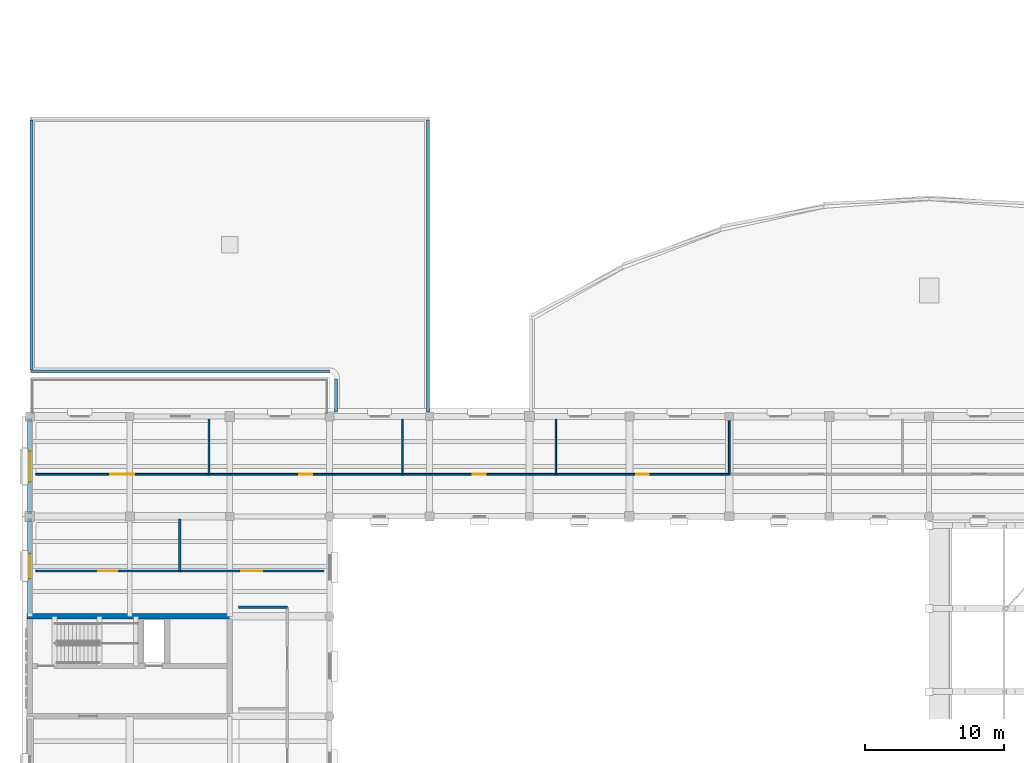
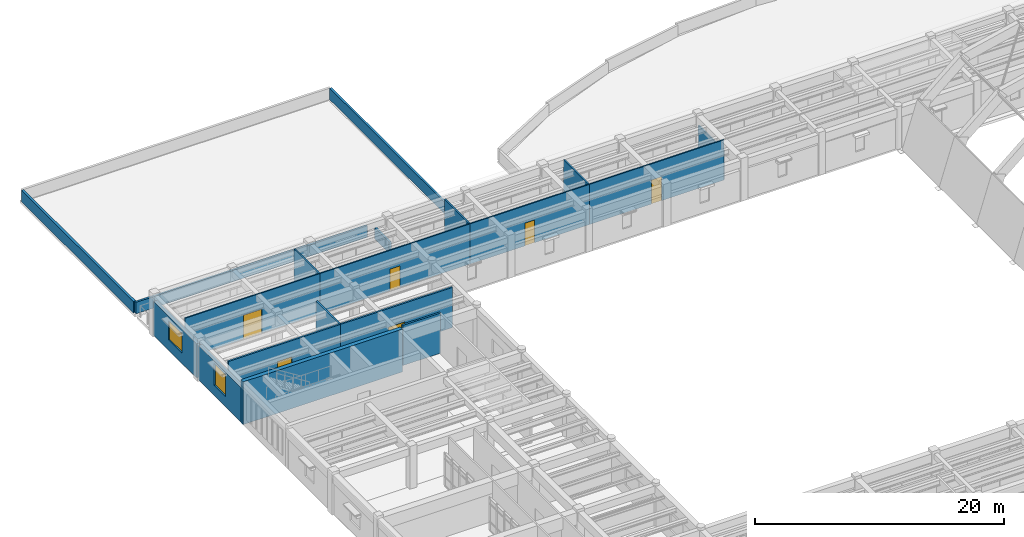
# One storey, part 43 of 66: 19 walls, 6 doors, 2 windows, 8 openings.
"""IFC4 building model written with IfcOpenShell, lengths in metres."""

from ifc_helpers import new_model, si_unit, direction, frame, frame_2d, origin, place, context, subcontext, project, spatial, rectangle, extrude, material, layer, layer_set, type_object, element, fill, save


model = new_model("IFC4")

# Units and contexts
model_context = context("Model", 3, precision=1e-05, world=origin(), true_north=direction((0.0, 1.0)))
body_context = subcontext(model_context, "Body", "Model", "MODEL_VIEW")
ifc_project = project(units=[si_unit("LENGTHUNIT", "METRE"), si_unit("AREAUNIT", "SQUARE_METRE"), si_unit("VOLUMEUNIT", "CUBIC_METRE"), si_unit("PLANEANGLEUNIT", "RADIAN"), si_unit("MASSUNIT", "GRAM", prefix="KILO")], contexts=[model_context])

# Site, building, storey
site_placement = place(None, origin())
site = spatial("IfcSite", under=ifc_project, at=site_placement, CompositionType="ELEMENT")
building_placement = place(site_placement, origin())
building = spatial("IfcBuilding", under=site, at=building_placement, Name="Mithqara Police Headquarters", CompositionType="ELEMENT")
storey_placement = place(building_placement, frame((0.0, 0.0, 9.60009765625)))
storey = spatial("IfcBuildingStorey", under=building, at=storey_placement, Name="L02", CompositionType="ELEMENT", Elevation=9.60009765625)

# Wall, opening, window
ifc_material_1 = material(Name="Limestone ashlar masonry, 45 MPa", Category="masonry")
ifc_layer_1 = layer(ifc_material_1, 0.320068359375, Name="Limestone ashlar masonry, 45 MPa")
ifc_layer_set_1 = layer_set([ifc_layer_1], Name="Limestone ashlar masonry, 45 MPa")
wall_type_1 = type_object("IfcWallType", Name="EXT WALL LIMESTONE320", PredefinedType="SOLIDWALL", material=ifc_layer_set_1)
wall_1_placement = place(storey_placement, frame((7.800048828125, 85.639892578125, 0.0), z_axis=(0.0, 0.0, 1.0), x_axis=(0.0, -1.0, 0.0)))
wall_1 = element("IfcWall", 1, at=wall_1_placement, inside=storey, type_object=wall_type_1, Name="L02 Exterior Wall 13.1", PredefinedType="SOLIDWALL", context=body_context, shape_type="SweptSolid", body=[
    extrude(rectangle(XDim=6.8798828125, YDim=0.320068359375, at=frame_2d((3.43994140625, 0.0))), origin(), (0.0, 0.0, 1.0), 3.33984375),
])
opening_1_placement = place(wall_1_placement, frame((2.340087890625, 0.0, 1.0)))
opening_1 = element("IfcOpeningElement", 2, at=opening_1_placement, cuts=wall_1, Name="Opening W-43", PredefinedType="OPENING", context=body_context, shape_type="SweptSolid", body=[
    extrude(rectangle(XDim=2.199951171875, YDim=1.89990234375, at=frame_2d((1.10009765625, 0.949951171875))), frame((0.0, 0.169921875, 0.0), z_axis=(0.0, -1.0, 0.0), x_axis=(1.0, 0.0, 0.0)), (0.0, 0.0, 1.0), 0.340087890625),
])
ifc_material_2 = material(Name="Spectrally selective double low-e glass", Category="glass")
window_type_1 = type_object("IfcWindowType", Name="WINDOW 2200X1900", PartitioningType="DOUBLE_PANEL_VERTICAL", PredefinedType="WINDOW", material=ifc_material_2)
window_1_placement = place(opening_1_placement, origin())
window_1 = element("IfcWindow", 3, at=window_1_placement, inside=storey, type_object=window_type_1, Name="L02 Deep-Set Punched Window 13.1", OverallHeight=1.89990234375, OverallWidth=2.199951171875, PartitioningType="SINGLE_PANEL", PredefinedType="WINDOW", context=body_context, shape_type="SweptSolid", body=[
    extrude(rectangle(XDim=2.199951171875, YDim=1.89990234375, at=frame_2d((1.10009765625, 0.949951171875))), frame((0.0, 0.030029296875, 0.0), z_axis=(0.0, -1.0, 0.0), x_axis=(1.0, 0.0, 0.0)), (0.0, 0.0, 1.0), 0.06005859375),
])
fill(opening_1, window_1)

wall_2_placement = place(storey_placement, frame((7.800048828125, 78.43994140625, 0.0), z_axis=(0.0, 0.0, 1.0), x_axis=(0.0, -1.0, 0.0)))
wall_2 = element("IfcWall", 4, at=wall_2_placement, inside=storey, type_object=wall_type_1, Name="L02 Exterior Wall 14.1", PredefinedType="SOLIDWALL", context=body_context, shape_type="SweptSolid", body=[
    extrude(rectangle(XDim=6.849853515625, YDim=0.320068359375, at=frame_2d((3.4248046875, 0.0))), origin(), (0.0, 0.0, 1.0), 3.389892578125),
])
opening_2_placement = place(wall_2_placement, frame((2.52490234375, 0.0, 1.0)))
opening_2 = element("IfcOpeningElement", 5, at=opening_2_placement, cuts=wall_2, Name="Opening W-34", PredefinedType="OPENING", context=body_context, shape_type="SweptSolid", body=[
    extrude(rectangle(XDim=1.800048828125, YDim=2.14990234375, at=frame_2d((0.89990234375, 1.074951171875))), frame((0.0, 0.169921875, 0.0), z_axis=(0.0, -1.0, 0.0), x_axis=(1.0, 0.0, 0.0)), (0.0, 0.0, 1.0), 0.340087890625),
])
window_type_2 = type_object("IfcWindowType", Name="WINDOW 1800X2150", PartitioningType="DOUBLE_PANEL_VERTICAL", PredefinedType="WINDOW", material=ifc_material_2)
window_2_placement = place(opening_2_placement, origin())
window_2 = element("IfcWindow", 6, at=window_2_placement, inside=storey, type_object=window_type_2, Name="L02 Deep-Set Punched Window 14.1", OverallHeight=2.14990234375, OverallWidth=1.800048828125, PartitioningType="SINGLE_PANEL", PredefinedType="WINDOW", context=body_context, shape_type="SweptSolid", body=[
    extrude(rectangle(XDim=1.800048828125, YDim=2.14990234375, at=frame_2d((0.89990234375, 1.074951171875))), frame((0.0, 0.030029296875, 0.0), z_axis=(0.0, -1.0, 0.0), x_axis=(1.0, 0.0, 0.0)), (0.0, 0.0, 1.0), 0.06005859375),
])
fill(opening_2, window_2)

# Walls
ifc_layer_2 = layer(ifc_material_1, 0.199951171875, Name="Limestone ashlar masonry, 45 MPa")
ifc_layer_set_2 = layer_set([ifc_layer_2], Name="Limestone ashlar masonry, 45 MPa")
wall_type_2 = type_object("IfcWallType", Name="PARAPET WALL 200", PredefinedType="PARAPET", material=ifc_layer_set_2)
wall_3_placement = place(storey_placement, frame((36.489990234375, 107.179931640625, 0.0), z_axis=(0.0, 0.0, 1.0), x_axis=(0.0, -1.0, 0.0)))
element("IfcWall", 7, at=wall_3_placement, inside=storey, type_object=wall_type_2, Name="L02 Limestone Roof Parapet ROOF-L01-00-2", PredefinedType="PARAPET", context=body_context, shape_type="SweptSolid", body=[
    extrude(rectangle(XDim=21.050048828125, YDim=0.199951171875, at=frame_2d((10.52490234375, 0.0))), origin(), (0.0, 0.0, 1.0), 1.119873046875),
])
wall_4_placement = place(storey_placement, frame((29.860107421875, 86.1298828125, 0.0), z_axis=(0.0, 0.0, 1.0), x_axis=(0.0, 1.0, 0.0)))
element("IfcWall", 8, at=wall_4_placement, inside=storey, type_object=wall_type_2, Name="L02 Limestone Roof Parapet ROOF-L01-00-4", PredefinedType="PARAPET", context=body_context, shape_type="SweptSolid", body=[
    extrude(rectangle(XDim=2.360107421875, YDim=0.199951171875, at=frame_2d((1.18017578125, 0.0))), origin(), (0.0, 0.0, 1.0), 1.119873046875),
])
wall_5_placement = place(storey_placement, frame((29.39990234375, 89.06005859375, 0.0), z_axis=(0.0, 0.0, 1.0), x_axis=(-1.0, 0.0, 0.0)))
element("IfcWall", 9, at=wall_5_placement, inside=storey, type_object=wall_type_2, Name="L02 Limestone Roof Parapet ROOF-L01-00-38", PredefinedType="PARAPET", context=body_context, shape_type="SweptSolid", body=[
    extrude(rectangle(XDim=21.489990234375, YDim=0.199951171875, at=frame_2d((10.7451171875, 0.0))), origin(), (0.0, 0.0, 1.0), 1.119873046875),
])
ifc_layer_3 = layer(ifc_material_1, 0.219970703125, Name="Limestone ashlar masonry, 45 MPa")
ifc_layer_set_3 = layer_set([ifc_layer_3], Name="Limestone ashlar masonry, 45 MPa")
wall_type_3 = type_object("IfcWallType", Name="PARAPET WALL 220", PredefinedType="PARAPET", material=ifc_layer_set_3)
wall_6_placement = place(storey_placement, frame((7.909912109375, 89.179931640625, 0.0), z_axis=(0.0, 0.0, 1.0), x_axis=(0.0, 1.0, 0.0)))
element("IfcWall", 10, at=wall_6_placement, inside=storey, type_object=wall_type_3, Name="L02 Limestone Roof Parapet ROOF-L01-00-39", PredefinedType="PARAPET", context=body_context, shape_type="SweptSolid", body=[
    extrude(rectangle(XDim=17.989990234375, YDim=0.219970703125, at=frame_2d((8.9951171875, 0.0))), origin(), (0.0, 0.0, 1.0), 1.119873046875),
])

# Wall, opening, door
ifc_material_3 = material(Name="Gypsum acoustic stud partition", Category="gypsum")
ifc_layer_4 = layer(ifc_material_3, 0.1201171875, Name="Gypsum acoustic stud partition")
ifc_layer_set_4 = layer_set([ifc_layer_4], Name="Gypsum acoustic stud partition")
wall_type_4 = type_object("IfcWallType", Name="PART WALL 120", PredefinedType="PARTITIONING", material=ifc_layer_set_4)
wall_7_placement = place(storey_placement, frame((8.219970703125, 81.639892578125, 0.0), z_axis=(0.0, 0.0, 1.0), x_axis=(1.0, 0.0, 0.0)))
wall_7 = element("IfcWall", 11, at=wall_7_placement, inside=storey, type_object=wall_type_4, Name="L02 Corridor Wall Regional Operations Coordination Suite", PredefinedType="PARTITIONING", context=body_context, shape_type="SweptSolid", body=[
    extrude(rectangle(XDim=12.4951171875, YDim=0.1201171875, at=frame_2d((6.24755859375, 0.0))), origin(), (0.0, 0.0, 1.0), 3.93994140625),
])
opening_3_placement = place(wall_7_placement, frame((5.387451171875, 0.0, 0.0)))
opening_3 = element("IfcOpeningElement", 12, at=opening_3_placement, cuts=wall_7, Name="Opening D-24", PredefinedType="OPENING", context=body_context, shape_type="SweptSolid", body=[
    extrude(rectangle(XDim=1.719970703125, YDim=2.35009765625, at=frame_2d((0.85986328125, 1.175048828125))), frame((0.0, 0.070068359375, 0.0), z_axis=(0.0, -1.0, 0.0), x_axis=(1.0, 0.0, 0.0)), (0.0, 0.0, 1.0), 0.14013671875),
])
ifc_material_4 = material(Name="Bronze anodised aluminium 6063-T6", Category="aluminium")
door_type_1 = type_object("IfcDoorType", Name="INT DOOR 1720X2350", OperationType="NOTDEFINED", PredefinedType="DOOR", material=ifc_material_4)
door_1_placement = place(opening_3_placement, origin())
door_1 = element("IfcDoor", 13, at=door_1_placement, inside=storey, type_object=door_type_1, Name="Regional Operations Coordination Suite Entry Door", OperationType="DOUBLE_DOOR_SINGLE_SWING", OverallHeight=2.35009765625, OverallWidth=1.719970703125, PredefinedType="DOOR", context=body_context, shape_type="SweptSolid", body=[
    extrude(rectangle(XDim=1.719970703125, YDim=2.35009765625, at=frame_2d((0.85986328125, 1.175048828125))), frame((0.0, 0.02490234375, 0.0), z_axis=(0.0, -1.0, 0.0), x_axis=(1.0, 0.0, 0.0)), (0.0, 0.0, 1.0), 0.050048828125),
])
fill(opening_3, door_1)

# Wall
wall_8_placement = place(storey_placement, frame((20.715087890625, 81.639892578125, 0.0), z_axis=(0.0, 0.0, 1.0), x_axis=(0.0, 1.0, 0.0)))
element("IfcWall", 14, at=wall_8_placement, inside=storey, type_object=wall_type_4, Name="L02 Room Partition Regional Operations Coordination Suite", PredefinedType="PARTITIONING", context=body_context, shape_type="SweptSolid", body=[
    extrude(rectangle(XDim=3.980224609375, YDim=0.1201171875, at=frame_2d((1.990234375, 0.0))), origin(), (0.0, 0.0, 1.0), 3.93994140625),
])

# Wall, opening, door
wall_9_placement = place(storey_placement, frame((20.715087890625, 81.639892578125, 0.0), z_axis=(0.0, 0.0, 1.0), x_axis=(1.0, 0.0, 0.0)))
wall_9 = element("IfcWall", 15, at=wall_9_placement, inside=storey, type_object=wall_type_4, Name="L02 Corridor Wall Crime Statistics Analysis Room", PredefinedType="PARTITIONING", context=body_context, shape_type="SweptSolid", body=[
    extrude(rectangle(XDim=13.94482421875, YDim=0.1201171875, at=frame_2d((6.972412109375, 0.0))), origin(), (0.0, 0.0, 1.0), 3.93994140625),
])
opening_4_placement = place(wall_9_placement, frame((6.512451171875, 0.0, 0.0)))
opening_4 = element("IfcOpeningElement", 16, at=opening_4_placement, cuts=wall_9, Name="Opening D-01", PredefinedType="OPENING", context=body_context, shape_type="SweptSolid", body=[
    extrude(rectangle(XDim=0.919921875, YDim=2.10009765625, at=frame_2d((0.4599609375, 1.050048828125))), frame((0.0, 0.070068359375, 0.0), z_axis=(0.0, -1.0, 0.0), x_axis=(1.0, 0.0, 0.0)), (0.0, 0.0, 1.0), 0.14013671875),
])
ifc_material_5 = material(Name="Acoustic solid-core timber leaf", Category="wood")
door_type_2 = type_object("IfcDoorType", Name="INT DOOR 920X2100", OperationType="NOTDEFINED", PredefinedType="DOOR", material=ifc_material_5)
door_2_placement = place(opening_4_placement, origin())
door_2 = element("IfcDoor", 17, at=door_2_placement, inside=storey, type_object=door_type_2, Name="Crime Statistics Analysis Room Entry Door", OperationType="SINGLE_SWING_RIGHT", OverallHeight=2.10009765625, OverallWidth=0.919921875, PredefinedType="DOOR", context=body_context, shape_type="SweptSolid", body=[
    extrude(rectangle(XDim=0.919921875, YDim=2.10009765625, at=frame_2d((0.4599609375, 1.050048828125))), frame((0.0, 0.02490234375, 0.0), z_axis=(0.0, -1.0, 0.0), x_axis=(1.0, 0.0, 0.0)), (0.0, 0.0, 1.0), 0.050048828125),
])
fill(opening_4, door_2)

# Wall
wall_10_placement = place(storey_placement, frame((34.659912109375, 81.639892578125, 0.0), z_axis=(0.0, 0.0, 1.0), x_axis=(0.0, 1.0, 0.0)))
element("IfcWall", 18, at=wall_10_placement, inside=storey, type_object=wall_type_4, Name="L02 Room Partition Crime Statistics Analysis Room", PredefinedType="PARTITIONING", context=body_context, shape_type="SweptSolid", body=[
    extrude(rectangle(XDim=3.980224609375, YDim=0.1201171875, at=frame_2d((1.990234375, 0.0))), origin(), (0.0, 0.0, 1.0), 3.93994140625),
])

# Wall, opening, door
wall_11_placement = place(storey_placement, frame((34.659912109375, 81.639892578125, 0.0), z_axis=(0.0, 0.0, 1.0), x_axis=(1.0, 0.0, 0.0)))
wall_11 = element("IfcWall", 19, at=wall_11_placement, inside=storey, type_object=wall_type_4, Name="L02 Corridor Wall Briefing Room", PredefinedType="PARTITIONING", context=body_context, shape_type="SweptSolid", body=[
    extrude(rectangle(XDim=11.045166015625, YDim=0.1201171875, at=frame_2d((5.5224609375, 0.0))), origin(), (0.0, 0.0, 1.0), 3.93994140625),
])
opening_5_placement = place(wall_11_placement, frame((5.0625, 0.0, 0.0)))
opening_5 = element("IfcOpeningElement", 20, at=opening_5_placement, cuts=wall_11, Name="Opening D-02", PredefinedType="OPENING", context=body_context, shape_type="SweptSolid", body=[
    extrude(rectangle(XDim=0.919921875, YDim=2.219970703125, at=frame_2d((0.4599609375, 1.10986328125))), frame((0.0, 0.070068359375, 0.0), z_axis=(0.0, -1.0, 0.0), x_axis=(1.0, 0.0, 0.0)), (0.0, 0.0, 1.0), 0.14013671875),
])
door_type_3 = type_object("IfcDoorType", Name="INT DOOR 920X2220", OperationType="NOTDEFINED", PredefinedType="DOOR", material=ifc_material_5)
door_3_placement = place(opening_5_placement, origin())
door_3 = element("IfcDoor", 21, at=door_3_placement, inside=storey, type_object=door_type_3, Name="Briefing Room Entry Door", OperationType="SINGLE_SWING_LEFT", OverallHeight=2.219970703125, OverallWidth=0.919921875, PredefinedType="DOOR", context=body_context, shape_type="SweptSolid", body=[
    extrude(rectangle(XDim=0.919921875, YDim=2.219970703125, at=frame_2d((0.4599609375, 1.10986328125))), frame((0.0, 0.02490234375, 0.0), z_axis=(0.0, -1.0, 0.0), x_axis=(1.0, 0.0, 0.0)), (0.0, 0.0, 1.0), 0.050048828125),
])
fill(opening_5, door_3)

# Wall
wall_12_placement = place(storey_placement, frame((45.705078125, 81.639892578125, 0.0), z_axis=(0.0, 0.0, 1.0), x_axis=(0.0, 1.0, 0.0)))
element("IfcWall", 22, at=wall_12_placement, inside=storey, type_object=wall_type_4, Name="L02 Room Partition Briefing Room", PredefinedType="PARTITIONING", context=body_context, shape_type="SweptSolid", body=[
    extrude(rectangle(XDim=3.980224609375, YDim=0.1201171875, at=frame_2d((1.990234375, 0.0))), origin(), (0.0, 0.0, 1.0), 3.93994140625),
])

# Wall, opening, door
wall_13_placement = place(storey_placement, frame((45.705078125, 81.639892578125, 0.0), z_axis=(0.0, 0.0, 1.0), x_axis=(1.0, 0.0, 0.0)))
wall_13 = element("IfcWall", 23, at=wall_13_placement, inside=storey, type_object=wall_type_4, Name="L02 Corridor Wall Regional Operations Coordination Suite", PredefinedType="PARTITIONING", context=body_context, shape_type="SweptSolid", body=[
    extrude(rectangle(XDim=12.494873046875, YDim=0.1201171875, at=frame_2d((6.24755859375, 0.0))), origin(), (0.0, 0.0, 1.0), 3.93994140625),
])
opening_6_placement = place(wall_13_placement, frame((5.78759765625, 0.0, 0.0)))
opening_6 = element("IfcOpeningElement", 24, at=opening_6_placement, cuts=wall_13, Name="Opening D-03", PredefinedType="OPENING", context=body_context, shape_type="SweptSolid", body=[
    extrude(rectangle(XDim=0.919921875, YDim=2.35009765625, at=frame_2d((0.4599609375, 1.175048828125))), frame((0.0, 0.070068359375, 0.0), z_axis=(0.0, -1.0, 0.0), x_axis=(1.0, 0.0, 0.0)), (0.0, 0.0, 1.0), 0.14013671875),
])
door_type_4 = type_object("IfcDoorType", Name="INT DOOR 920X2350", OperationType="NOTDEFINED", PredefinedType="DOOR", material=ifc_material_5)
door_4_placement = place(opening_6_placement, origin())
door_4 = element("IfcDoor", 25, at=door_4_placement, inside=storey, type_object=door_type_4, Name="Regional Operations Coordination Suite Entry Door", OperationType="SINGLE_SWING_RIGHT", OverallHeight=2.35009765625, OverallWidth=0.919921875, PredefinedType="DOOR", context=body_context, shape_type="SweptSolid", body=[
    extrude(rectangle(XDim=0.919921875, YDim=2.35009765625, at=frame_2d((0.4599609375, 1.175048828125))), frame((0.0, 0.02490234375, 0.0), z_axis=(0.0, -1.0, 0.0), x_axis=(1.0, 0.0, 0.0)), (0.0, 0.0, 1.0), 0.050048828125),
])
fill(opening_6, door_4)

# Wall
wall_14_placement = place(storey_placement, frame((58.199951171875, 81.639892578125, 0.0), z_axis=(0.0, 0.0, 1.0), x_axis=(0.0, 1.0, 0.0)))
element("IfcWall", 26, at=wall_14_placement, inside=storey, type_object=wall_type_4, Name="L02 Room Partition Regional Operations Coordination Suite", PredefinedType="PARTITIONING", context=body_context, shape_type="SweptSolid", body=[
    extrude(rectangle(XDim=3.980224609375, YDim=0.1201171875, at=frame_2d((1.990234375, 0.0))), origin(), (0.0, 0.0, 1.0), 2.93994140625),
])

# Wall, opening, door
ifc_layer_5 = layer(ifc_material_3, 0.159912109375, Name="Gypsum acoustic stud partition")
ifc_layer_set_5 = layer_set([ifc_layer_5], Name="Gypsum acoustic stud partition")
wall_type_5 = type_object("IfcWallType", Name="PART WALL 160", PredefinedType="PARTITIONING", material=ifc_layer_set_5)
wall_15_placement = place(storey_placement, frame((8.219970703125, 74.669921875, 0.0), z_axis=(0.0, 0.0, 1.0), x_axis=(1.0, 0.0, 0.0)))
wall_15 = element("IfcWall", 27, at=wall_15_placement, inside=storey, type_object=wall_type_5, Name="L02 Corridor Wall Traffic Investigation Division", PredefinedType="PARTITIONING", context=body_context, shape_type="SweptSolid", body=[
    extrude(rectangle(XDim=10.380126953125, YDim=0.159912109375, at=frame_2d((5.18994140625, 0.0))), origin(), (0.0, 0.0, 1.0), 3.93994140625),
])
opening_7_placement = place(wall_15_placement, frame((4.510009765625, 0.0, 0.0)))
opening_7 = element("IfcOpeningElement", 28, at=opening_7_placement, cuts=wall_15, Name="Opening D-18", PredefinedType="OPENING", context=body_context, shape_type="SweptSolid", body=[
    extrude(rectangle(XDim=1.360107421875, YDim=2.35009765625, at=frame_2d((0.68017578125, 1.175048828125))), frame((0.0, 0.08984375, 0.0), z_axis=(0.0, -1.0, 0.0), x_axis=(1.0, 0.0, 0.0)), (0.0, 0.0, 1.0), 0.179931640625),
])
door_type_5 = type_object("IfcDoorType", Name="INT DOOR 1360X2350", OperationType="NOTDEFINED", PredefinedType="DOOR", material=ifc_material_4)
door_5_placement = place(opening_7_placement, origin())
door_5 = element("IfcDoor", 29, at=door_5_placement, inside=storey, type_object=door_type_5, Name="Traffic Investigation Division Entry Door", OperationType="SINGLE_SWING_LEFT", OverallHeight=2.35009765625, OverallWidth=1.360107421875, PredefinedType="DOOR", context=body_context, shape_type="SweptSolid", body=[
    extrude(rectangle(XDim=1.360107421875, YDim=2.35009765625, at=frame_2d((0.68017578125, 1.175048828125))), frame((0.0, 0.02490234375, 0.0), z_axis=(0.0, -1.0, 0.0), x_axis=(1.0, 0.0, 0.0)), (0.0, 0.0, 1.0), 0.050048828125),
])
fill(opening_7, door_5)

# Wall
wall_16_placement = place(storey_placement, frame((18.60009765625, 74.669921875, 0.0), z_axis=(0.0, 0.0, 1.0), x_axis=(0.0, 1.0, 0.0)))
element("IfcWall", 30, at=wall_16_placement, inside=storey, type_object=wall_type_5, Name="L02 Room Partition Traffic Investigation Division", PredefinedType="PARTITIONING", context=body_context, shape_type="SweptSolid", body=[
    extrude(rectangle(XDim=3.75, YDim=0.159912109375, at=frame_2d((1.875, 0.0))), origin(), (0.0, 0.0, 1.0), 3.93994140625),
])

# Wall, opening, door
wall_17_placement = place(storey_placement, frame((18.60009765625, 74.669921875, 0.0), z_axis=(0.0, 0.0, 1.0), x_axis=(1.0, 0.0, 0.0)))
wall_17 = element("IfcWall", 31, at=wall_17_placement, inside=storey, type_object=wall_type_5, Name="L02 Corridor Wall Traffic Incident Analysis Room", PredefinedType="PARTITIONING", context=body_context, shape_type="SweptSolid", body=[
    extrude(rectangle(XDim=10.3798828125, YDim=0.159912109375, at=frame_2d((5.18994140625, 0.0))), origin(), (0.0, 0.0, 1.0), 3.93994140625),
])
opening_8_placement = place(wall_17_placement, frame((4.429931640625, 0.0, 0.0)))
opening_8 = element("IfcOpeningElement", 32, at=opening_8_placement, cuts=wall_17, Name="Opening D-19", PredefinedType="OPENING", context=body_context, shape_type="SweptSolid", body=[
    extrude(rectangle(XDim=1.52001953125, YDim=2.10009765625, at=frame_2d((0.760009765625, 1.050048828125))), frame((0.0, 0.08984375, 0.0), z_axis=(0.0, -1.0, 0.0), x_axis=(1.0, 0.0, 0.0)), (0.0, 0.0, 1.0), 0.179931640625),
])
door_type_6 = type_object("IfcDoorType", Name="INT DOOR 1520X2100", OperationType="NOTDEFINED", PredefinedType="DOOR", material=ifc_material_4)
door_6_placement = place(opening_8_placement, origin())
door_6 = element("IfcDoor", 33, at=door_6_placement, inside=storey, type_object=door_type_6, Name="Traffic Incident Analysis Room Entry Door", OperationType="DOUBLE_DOOR_SINGLE_SWING", OverallHeight=2.10009765625, OverallWidth=1.52001953125, PredefinedType="DOOR", context=body_context, shape_type="SweptSolid", body=[
    extrude(rectangle(XDim=1.52001953125, YDim=2.10009765625, at=frame_2d((0.760009765625, 1.050048828125))), frame((0.0, 0.02490234375, 0.0), z_axis=(0.0, -1.0, 0.0), x_axis=(1.0, 0.0, 0.0)), (0.0, 0.0, 1.0), 0.050048828125),
])
fill(opening_8, door_6)

# Walls
ifc_material_6 = material(Name="Concrete C40/50", Category="concrete")
ifc_layer_6 = layer(ifc_material_6, 0.179931640625, Name="Concrete C40/50")
ifc_layer_set_6 = layer_set([ifc_layer_6], Name="Concrete C40/50")
wall_type_6 = type_object("IfcWallType", Name="PART WALL 180", PredefinedType="PARTITIONING", material=ifc_layer_set_6)
wall_18_placement = place(storey_placement, frame((22.85009765625, 72.050048828125, 0.0), z_axis=(0.0, 0.0, 1.0), x_axis=(1.0, 0.0, 0.0)))
element("IfcWall", 34, at=wall_18_placement, inside=storey, type_object=wall_type_6, Name="L02 Partition End Closure E1", PredefinedType="PARTITIONING", context=body_context, shape_type="SweptSolid", body=[
    extrude(rectangle(XDim=3.510009765625, YDim=0.179931640625, at=frame_2d((1.7548828125, 0.0))), origin(), (0.0, 0.0, 1.0), 3.93994140625),
])
ifc_material_7 = material(Name="Concrete C50/60", Category="concrete")
ifc_layer_7 = layer(ifc_material_7, 0.3798828125, Name="Concrete C50/60")
ifc_layer_set_7 = layer_set([ifc_layer_7], Name="Concrete C50/60")
wall_type_7 = type_object("IfcWallType", Name="SHEAR WALL 380", PredefinedType="SHEAR", material=ifc_layer_set_7)
wall_19_placement = place(storey_placement, frame((7.610107421875, 71.39990234375, 0.0), z_axis=(0.0, 0.0, 1.0), x_axis=(1.0, 0.0, 0.0)))
element("IfcWall", 35, at=wall_19_placement, inside=storey, type_object=wall_type_7, Name="Core C3 Operations West Shear Wall N", PredefinedType="SHEAR", context=body_context, shape_type="SweptSolid", body=[
    extrude(rectangle(XDim=14.77978515625, YDim=0.3798828125, at=frame_2d((7.389892578125, 0.0))), origin(), (0.0, 0.0, 1.0), 4.199951171875),
])

save(model, "model.ifc")
